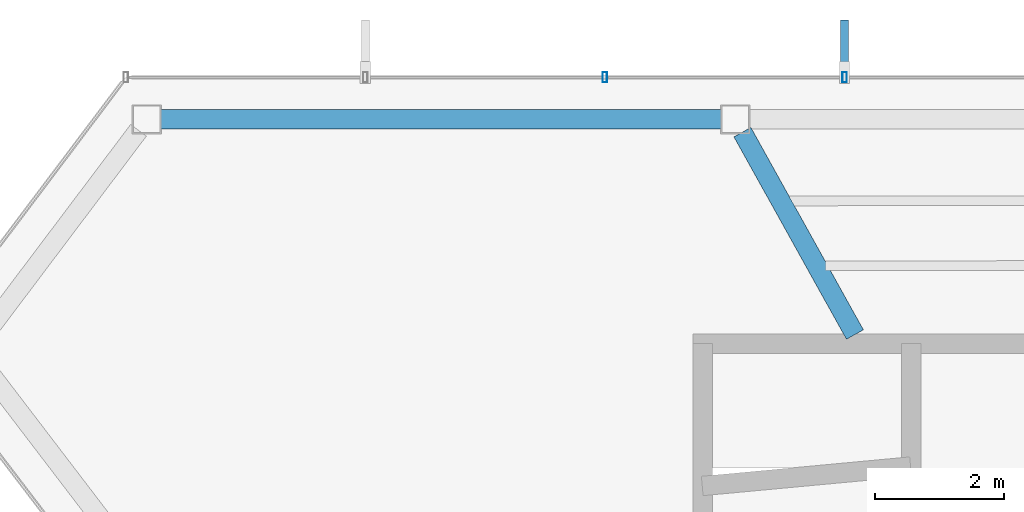
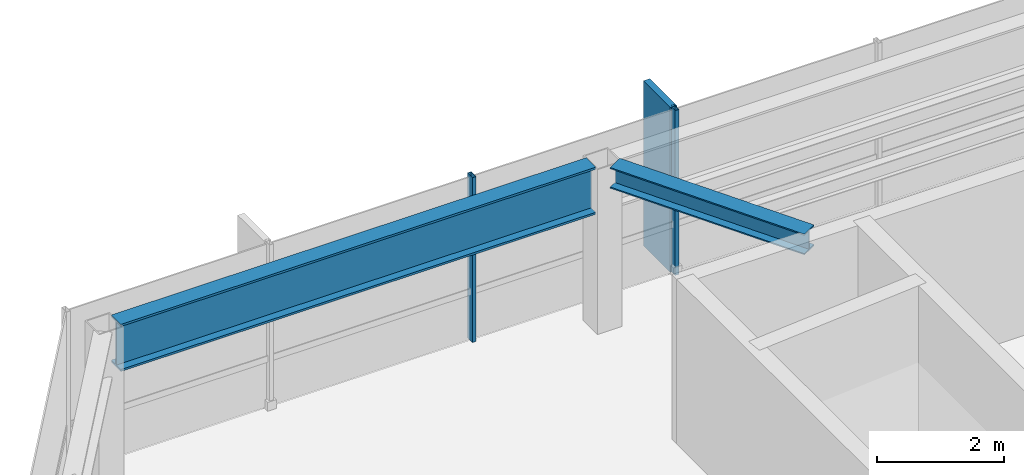
# One storey, part 11 of 22: 3 members, 2 beams, 1 element without a shape of its own.
"""IFC4 building model written with IfcOpenShell, lengths in metres."""

from ifc_helpers import new_model, si_unit, direction, frame, origin, origin_2d, place, context, subcontext, project, spatial, rectangle, hollow_rectangle, i_section, extrude, material, layer, layer_set, material_profile, profile_set, type_object, element, aggregate, save


model = new_model("IFC4")

# Units and contexts
model_context = context("Model", 3, precision=1e-05, world=origin(), true_north=direction((0.0, 1.0)))
body_context = subcontext(model_context, "Body", "Model", "MODEL_VIEW")
ifc_project = project(units=[si_unit("LENGTHUNIT", "METRE"), si_unit("AREAUNIT", "SQUARE_METRE"), si_unit("VOLUMEUNIT", "CUBIC_METRE"), si_unit("PLANEANGLEUNIT", "RADIAN"), si_unit("MASSUNIT", "GRAM", prefix="KILO")], contexts=[model_context])

# Site, building, storey
site_placement = place(None, origin())
site = spatial("IfcSite", under=ifc_project, at=site_placement, CompositionType="ELEMENT")
building_placement = place(site_placement, origin())
building = spatial("IfcBuilding", under=site, at=building_placement, Name="Zarrinselat Tower", CompositionType="ELEMENT")
storey_placement = place(building_placement, frame((0.0, 0.0, 292.39990234375)))
storey = spatial("IfcBuildingStorey", under=building, at=storey_placement, Name="L75", CompositionType="ELEMENT", Elevation=292.39990234375)

# Beams
ifc_material_1 = material(Name="Steel S355J2", Category="steel")
ifc_material_profile_1 = material_profile(ifc_material_1, i_section(OverallWidth=0.300048828125, OverallDepth=0.39990234375, WebThickness=0.013427734375, FlangeThickness=0.02392578125, at=origin_2d()), Name="HEB 400")
ifc_profile_set_1 = profile_set([ifc_material_profile_1], Name="Steel S355J2")
beam_type_1 = type_object("IfcBeamType", Name="BM-HEB400", PredefinedType="BEAM", material=ifc_profile_set_1)
beam_1_placement = place(storey_placement, frame((29.260498046875, 46.668212890625, 2.97998046875), z_axis=(0.485990373515, -0.873964162224, 0.0), x_axis=(0.873964162224, 0.485990373515, 0.0)))
element("IfcBeam", 1, at=beam_1_placement, inside=storey, type_object=beam_type_1, Name="L75 Radial Primary Girder RG04", PredefinedType="BEAM", context=body_context, shape_type="SweptSolid", body=[
    extrude(i_section(OverallWidth=0.300048828125, OverallDepth=0.39990234375, WebThickness=0.013427734375, FlangeThickness=0.02392578125, at=origin_2d()), origin(), (0.0, 0.0, 1.0), 3.579345703125),
])
ifc_material_2 = material(Name="Steel S460M", Category="steel")
ifc_material_profile_2 = material_profile(ifc_material_2, i_section(OverallWidth=0.302001953125, OverallDepth=0.909912109375, WebThickness=0.02099609375, FlangeThickness=0.0400390625, at=origin_2d()), Name="HEM 900")
ifc_profile_set_2 = profile_set([ifc_material_profile_2], Name="Steel S460M")
beam_type_2 = type_object("IfcBeamType", Name="BM-HEM900", PredefinedType="BEAM", material=ifc_profile_set_2)
beam_2_placement = place(storey_placement, frame((20.268310546875, 46.86669921875, 2.72509765625), z_axis=(1.0, 0.0, 0.0), x_axis=(0.0, 1.0, 0.0)))
element("IfcBeam", 2, at=beam_2_placement, inside=storey, type_object=beam_type_2, Name="L75 Perimeter Spandrel Girder SP04", PredefinedType="BEAM", context=body_context, shape_type="SweptSolid", body=[
    extrude(i_section(OverallWidth=0.302001953125, OverallDepth=0.909912109375, WebThickness=0.02099609375, FlangeThickness=0.0400390625, at=origin_2d()), origin(), (0.0, 0.0, 1.0), 8.6689453125),
])

# Curtain wall, members
ifc_material_3 = material(Name="Extruded Aluminium Alloy EN AW-6063 T6", Category="aluminium")
ifc_layer = layer(ifc_material_3, 0.169921875)
ifc_layer_set = layer_set([ifc_layer], Name="Extruded Aluminium Alloy EN AW-6063 T6")
curtain_wall_type = type_object("IfcCurtainWallType", Name="CWS-RES", PredefinedType="NOTDEFINED", material=ifc_layer_set)
curtain_wall_placement = place(storey_placement, origin())
curtain_wall = element("IfcCurtainWall", 3, at=curtain_wall_placement, inside=storey, type_object=curtain_wall_type, Name="L75 Unitised Curtain Wall CW-L75-E01", PredefinedType="NOTDEFINED")
ifc_material_4 = material(Name="Extruded Aluminium Alloy EN AW-6063 T6", Category="aluminium")
ifc_material_profile_3 = material_profile(ifc_material_4, hollow_rectangle(XDim=0.070068359375, YDim=0.159912109375, WallThickness=0.00390625, at=origin_2d()), Name="RHS 160x70x4")
ifc_profile_set_3 = profile_set([ifc_material_profile_3], Name="Extruded Aluminium Alloy EN AW-6063 T6")
member_type_1 = type_object("IfcMemberType", Name="MEM-CW-MUL2", PredefinedType="MULLION", material=ifc_profile_set_3)
member_1_placement = place(storey_placement, frame((30.8388671875, 47.5166015625, 0.0), z_axis=(0.0, 0.0, 1.0), x_axis=(-1.0, 0.0, 0.0)))
member_1 = element("IfcMember", 4, at=member_1_placement, type_object=member_type_1, Name="CW-L75-E01 Mullion 7", PredefinedType="MULLION", context=body_context, shape_type="SweptSolid", body=[
    extrude(hollow_rectangle(XDim=0.070068359375, YDim=0.159912109375, WallThickness=0.00390625, at=origin_2d()), origin(), (0.0, 0.0, 1.0), 3.18017578125),
])
member_2_placement = place(storey_placement, frame((27.13623046875, 47.5166015625, 0.0), z_axis=(0.0, 0.0, 1.0), x_axis=(-1.0, 0.0, 0.0)))
member_2 = element("IfcMember", 5, at=member_2_placement, type_object=member_type_1, Name="CW-L75-E01 Mullion 8", PredefinedType="MULLION", context=body_context, shape_type="SweptSolid", body=[
    extrude(hollow_rectangle(XDim=0.070068359375, YDim=0.159912109375, WallThickness=0.00390625, at=origin_2d()), origin(), (0.0, 0.0, 1.0), 3.18017578125),
])
ifc_material_5 = material(Name="Honed Cream Travertine Stone", Category="masonry")
ifc_material_profile_4 = material_profile(ifc_material_5, rectangle(XDim=0.1201171875, YDim=0.85009765625, at=origin_2d()), Name="FIN 850x120")
ifc_profile_set_4 = profile_set([ifc_material_profile_4], Name="Honed Cream Travertine Stone")
member_type_2 = type_object("IfcMemberType", Name="MEM-STONE-FIN", PredefinedType="USERDEFINED", material=ifc_profile_set_4)
member_3_placement = place(storey_placement, frame((30.8388671875, 47.976806640625, 0.0), z_axis=(0.0, 0.0, 1.0), x_axis=(1.0, 0.0, 0.0)))
member_3 = element("IfcMember", 6, at=member_3_placement, type_object=member_type_2, Name="L75 Stone Shading Fin CW-L75-E01-07", ObjectType="FIN", PredefinedType="USERDEFINED", context=body_context, shape_type="SweptSolid", body=[
    extrude(rectangle(XDim=0.1201171875, YDim=0.85009765625, at=origin_2d()), origin(), (0.0, 0.0, 1.0), 3.18017578125),
])
aggregate(curtain_wall, [member_1, member_3, member_2])

save(model, "model.ifc")
